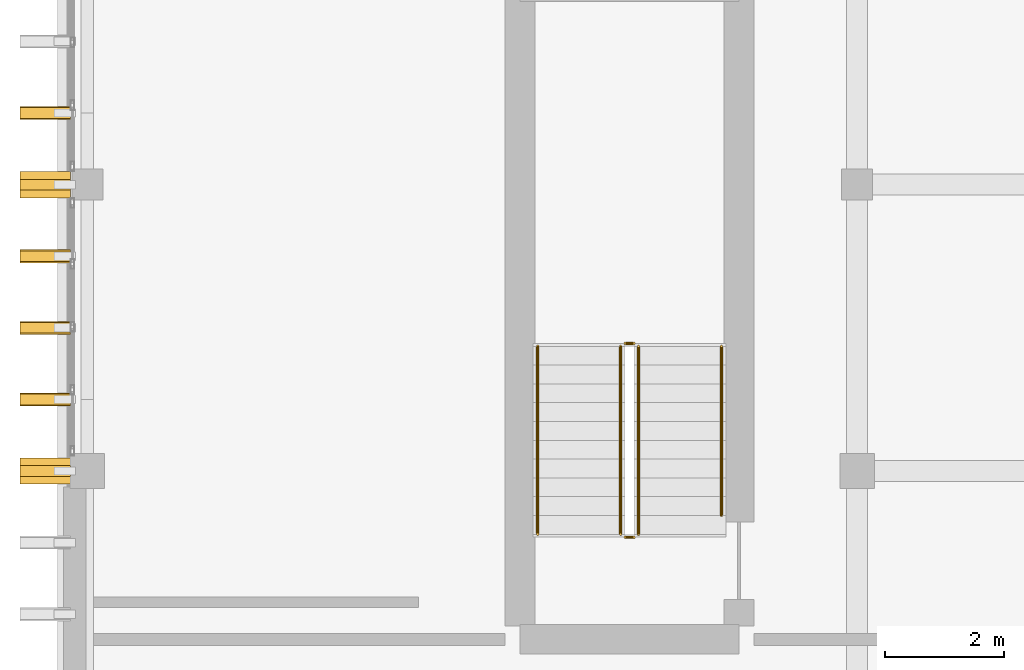
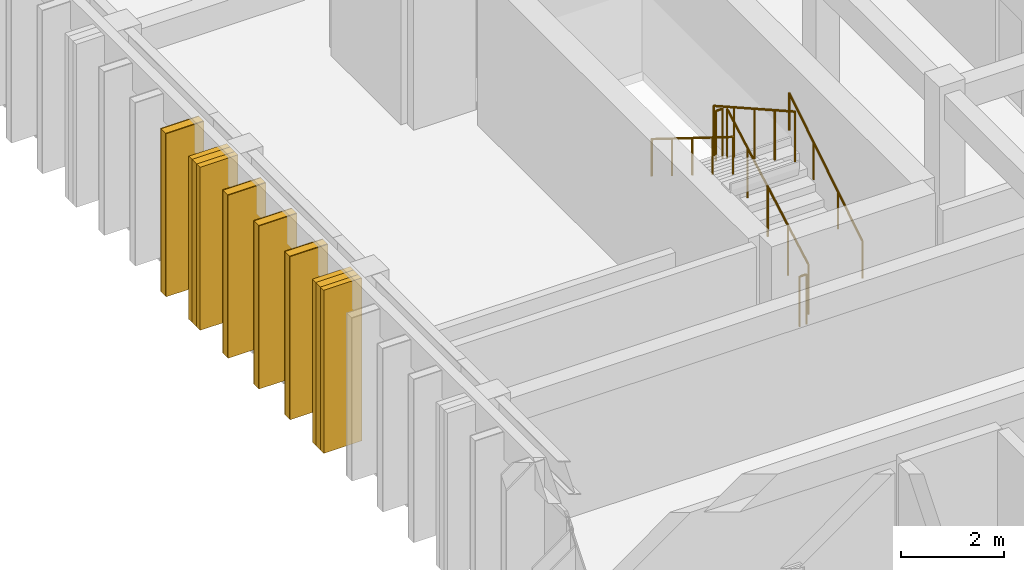
# One storey, part 48 of 49: 6 coverings, 6 railings, 6 shading devices.
"""IFC4 building model written with IfcOpenShell, lengths in metres."""

from ifc_helpers import new_model, si_unit, direction, frame, origin, origin_2d, place, context, subcontext, project, spatial, rectangle, circle, extrude, material, layer, layer_set, type_object, element, save


model = new_model("IFC4")

# Units and contexts
model_context = context("Model", 3, precision=1e-05, world=origin(), true_north=direction((0.0, 1.0)))
body_context = subcontext(model_context, "Body", "Model", "MODEL_VIEW")
ifc_project = project(units=[si_unit("LENGTHUNIT", "METRE"), si_unit("AREAUNIT", "SQUARE_METRE"), si_unit("VOLUMEUNIT", "CUBIC_METRE"), si_unit("PLANEANGLEUNIT", "RADIAN"), si_unit("MASSUNIT", "GRAM", prefix="KILO")], contexts=[model_context])

# Site, building, storey
site_placement = place(None, origin())
site = spatial("IfcSite", under=ifc_project, at=site_placement, CompositionType="ELEMENT")
building_placement = place(site_placement, origin())
building = spatial("IfcBuilding", under=site, at=building_placement, Name="Nakhvara Creek Congress Hotel", CompositionType="ELEMENT")
storey_placement = place(building_placement, frame((0.0, 0.0, 46.5)))
storey = spatial("IfcBuildingStorey", under=building, at=storey_placement, Name="L11", CompositionType="ELEMENT", Elevation=46.5)

# Coverings
ifc_material_1 = material(Name="Honed pale Omani limestone architectural cladding", Category="masonry")
ifc_layer = layer(ifc_material_1, 0.219970703125)
ifc_layer_set = layer_set([ifc_layer], Name="Honed pale Omani limestone architectural cladding")
covering_type = type_object("IfcCoveringType", Name="COV-FIN-850", PredefinedType="CLADDING", material=ifc_layer_set)
covering_1_placement = place(storey_placement, frame((148.7451171875, 105.60009765625, 0.0), z_axis=(0.0, 0.0, 1.0), x_axis=(0.0, 1.0, 0.0)))
element("IfcCovering", 1, at=covering_1_placement, inside=storey, type_object=covering_type, Name="Pale Limestone Fin Cladding CF01-2502", PredefinedType="CLADDING", context=body_context, shape_type="SweptSolid", body=[
    extrude(rectangle(XDim=0.43994140625, YDim=0.85009765625, at=origin_2d()), origin(), (0.0, 0.0, 1.0), 3.860107421875),
])
for number, where, z_axis, x_axis, name in (
    (2, (148.7451171875, 106.800048828125, 0.0), (0.0, 0.0, 1.0), (0.0, 1.0, 0.0), "Pale Limestone Fin Cladding CF01-2504"),
    (3, (148.7451171875, 108.0, 0.0), (0.0, 0.0, 1.0), (0.0, 1.0, 0.0), "Pale Limestone Fin Cladding CF01-2505"),
    (4, (148.7451171875, 109.199951171875, 0.0), (0.0, 0.0, 1.0), (0.0, 1.0, 0.0), "Pale Limestone Fin Cladding CF01-2507"),
):
    element("IfcCovering", number, at=place(storey_placement, frame(where, z_axis=z_axis, x_axis=x_axis)), inside=storey, type_object=covering_type, Name=name, PredefinedType="CLADDING", context=body_context, shape_type="SweptSolid", body=[
        extrude(rectangle(XDim=0.219970703125, YDim=0.85009765625, at=origin_2d()), origin(), (0.0, 0.0, 1.0), 3.860107421875),
    ])
covering_2_placement = place(storey_placement, frame((148.7451171875, 110.39990234375, 0.0), z_axis=(0.0, 0.0, 1.0), x_axis=(0.0, 1.0, 0.0)))
element("IfcCovering", 5, at=covering_2_placement, inside=storey, type_object=covering_type, Name="Pale Limestone Fin Cladding CF01-2509", PredefinedType="CLADDING", context=body_context, shape_type="SweptSolid", body=[
    extrude(rectangle(XDim=0.43994140625, YDim=0.85009765625, at=origin_2d()), origin(), (0.0, 0.0, 1.0), 3.860107421875),
])
covering_3_placement = place(storey_placement, frame((148.7451171875, 111.60009765625, 0.0), z_axis=(0.0, 0.0, 1.0), x_axis=(0.0, 1.0, 0.0)))
element("IfcCovering", 6, at=covering_3_placement, inside=storey, type_object=covering_type, Name="Pale Limestone Fin Cladding CF01-2511", PredefinedType="CLADDING", context=body_context, shape_type="SweptSolid", body=[
    extrude(rectangle(XDim=0.219970703125, YDim=0.85009765625, at=origin_2d()), origin(), (0.0, 0.0, 1.0), 3.860107421875),
])

# Railings
ifc_material_2 = material(Name="Brushed stainless steel 316L", Category="steel")
railing_type_1 = type_object("IfcRailingType", Name="RL-GUARD-1200", PredefinedType="GUARDRAIL", material=ifc_material_2)
railing_1_placement = place(storey_placement, frame((158.68505859375, 104.5400390625, 0.17724609375)))
element("IfcRailing", 7, at=railing_1_placement, inside=storey, type_object=railing_type_1, Name="L11 ST02 stair guard 1", PredefinedType="GUARDRAIL", context=body_context, shape_type="SweptSolid", body=[
    extrude(circle(Radius=0.02392578125, at=origin_2d()), frame((0.0, 0.0126953125, 1.18310546875), z_axis=(0.0, 0.871470892042, 0.490447228888), x_axis=(-1.0, 0.0, 0.0)), (0.0, 0.0, 1.0), 3.5849609375),
    extrude(circle(Radius=0.02099609375, at=origin_2d()), origin(), (0.0, 0.0, 1.0), 1.1806640625),
    extrude(circle(Radius=0.02099609375, at=origin_2d()), frame((0.0, 0.78759765625, 0.443115234375)), (0.0, 0.0, 1.0), 1.1806640625),
    extrude(circle(Radius=0.02099609375, at=origin_2d()), frame((0.0, 1.574951171875, 0.88623046875)), (0.0, 0.0, 1.0), 1.1806640625),
    extrude(circle(Radius=0.02099609375, at=origin_2d()), frame((0.0, 2.3623046875, 1.32958984375)), (0.0, 0.0, 1.0), 1.1806640625),
    extrude(circle(Radius=0.02099609375, at=origin_2d()), frame((0.0, 3.14990234375, 1.772705078125)), (0.0, 0.0, 1.0), 1.1806640625),
])
railing_2_placement = place(storey_placement, frame((158.610107421875, 107.739990234375, 1.949951171875)))
element("IfcRailing", 8, at=railing_2_placement, inside=storey, type_object=railing_type_1, Name="L11 ST02 stair guard 2", PredefinedType="GUARDRAIL", context=body_context, shape_type="SweptSolid", body=[
    extrude(circle(Radius=0.02392578125, at=origin_2d()), frame((-0.0146484375, 0.0, 1.17578125), z_axis=(-1.0, 0.0, 0.0), x_axis=(0.0, -1.0, 0.0)), (0.0, 0.0, 1.0), 0.120849609375),
    extrude(circle(Radius=0.02099609375, at=origin_2d()), origin(), (0.0, 0.0, 1.0), 1.1806640625),
    extrude(circle(Radius=0.02099609375, at=origin_2d()), frame((-0.150146484375, 0.0, 0.0)), (0.0, 0.0, 1.0), 1.1806640625),
])
railing_3_placement = place(storey_placement, frame((158.385009765625, 107.68994140625, 2.127197265625)))
element("IfcRailing", 9, at=railing_3_placement, inside=storey, type_object=railing_type_1, Name="L11 ST02 stair guard 3", PredefinedType="GUARDRAIL", context=body_context, shape_type="SweptSolid", body=[
    extrude(circle(Radius=0.02392578125, at=origin_2d()), frame((0.0, -0.0126953125, 1.18310546875), z_axis=(0.0, -0.871470892042, 0.490447228888), x_axis=(1.0, 0.0, 0.0)), (0.0, 0.0, 1.0), 3.5849609375),
    extrude(circle(Radius=0.02099609375, at=origin_2d()), origin(), (0.0, 0.0, 1.0), 1.1806640625),
    extrude(circle(Radius=0.02099609375, at=origin_2d()), frame((0.0, -0.78759765625, 0.443115234375)), (0.0, 0.0, 1.0), 1.1806640625),
    extrude(circle(Radius=0.02099609375, at=origin_2d()), frame((0.0, -1.574951171875, 0.88623046875)), (0.0, 0.0, 1.0), 1.1806640625),
    extrude(circle(Radius=0.02099609375, at=origin_2d()), frame((0.0, -2.3623046875, 1.32958984375)), (0.0, 0.0, 1.0), 1.1806640625),
    extrude(circle(Radius=0.02099609375, at=origin_2d()), frame((0.0, -3.14990234375, 1.772705078125)), (0.0, 0.0, 1.0), 1.1806640625),
])
railing_4_placement = place(storey_placement, frame((158.610107421875, 104.489990234375, 0.0)))
element("IfcRailing", 10, at=railing_4_placement, inside=storey, type_object=railing_type_1, Name="L11 ST02 stair guard 4", PredefinedType="GUARDRAIL", context=body_context, shape_type="SweptSolid", body=[
    extrude(circle(Radius=0.02392578125, at=origin_2d()), frame((-0.0146484375, 0.0, 1.17578125), z_axis=(-1.0, 0.0, 0.0), x_axis=(0.0, -1.0, 0.0)), (0.0, 0.0, 1.0), 0.120849609375),
    extrude(circle(Radius=0.02099609375, at=origin_2d()), origin(), (0.0, 0.0, 1.0), 1.1806640625),
    extrude(circle(Radius=0.02099609375, at=origin_2d()), frame((-0.150146484375, 0.0, 0.0)), (0.0, 0.0, 1.0), 1.1806640625),
])
railing_type_2 = type_object("IfcRailingType", Name="RL-HAND-900", PredefinedType="HANDRAIL", material=ifc_material_2)
railing_5_placement = place(storey_placement, frame((160.074951171875, 104.85498046875, 0.3544921875)))
element("IfcRailing", 11, at=railing_5_placement, inside=storey, type_object=railing_type_2, Name="L11 ST02 stair handrail 1", PredefinedType="HANDRAIL", context=body_context, shape_type="SweptSolid", body=[
    extrude(circle(Radius=0.02392578125, at=origin_2d()), frame((0.0, 0.012451171875, 0.8837890625), z_axis=(0.0, 0.846405642229, 0.532538720473), x_axis=(-1.0, 0.0, 0.0)), (0.0, 0.0, 1.0), 3.320068359375),
    extrude(circle(Radius=0.02099609375, at=origin_2d()), origin(), (0.0, 0.0, 1.0), 0.880615234375),
    extrude(circle(Radius=0.02099609375, at=origin_2d()), frame((0.0, 0.945068359375, 0.594482421875)), (0.0, 0.0, 1.0), 0.880615234375),
    extrude(circle(Radius=0.02099609375, at=origin_2d()), frame((0.0, 1.889892578125, 1.189208984375)), (0.0, 0.0, 1.0), 0.880615234375),
    extrude(circle(Radius=0.02099609375, at=origin_2d()), frame((0.0, 2.8349609375, 1.78369140625)), (0.0, 0.0, 1.0), 0.880615234375),
])
railing_6_placement = place(storey_placement, frame((156.9951171875, 107.68994140625, 2.127197265625)))
element("IfcRailing", 12, at=railing_6_placement, inside=storey, type_object=railing_type_2, Name="L11 ST02 stair handrail 2", PredefinedType="HANDRAIL", context=body_context, shape_type="SweptSolid", body=[
    extrude(circle(Radius=0.02392578125, at=origin_2d()), frame((0.0, -0.012451171875, 0.883544921875), z_axis=(0.0, -0.848906378247, 0.528543244184), x_axis=(1.0, 0.0, 0.0)), (0.0, 0.0, 1.0), 3.68115234375),
    extrude(circle(Radius=0.02099609375, at=origin_2d()), origin(), (0.0, 0.0, 1.0), 0.880615234375),
    extrude(circle(Radius=0.02099609375, at=origin_2d()), frame((0.0, -0.78759765625, 0.490234375)), (0.0, 0.0, 1.0), 0.880615234375),
    extrude(circle(Radius=0.02099609375, at=origin_2d()), frame((0.0, -1.574951171875, 0.98046875)), (0.0, 0.0, 1.0), 0.880615234375),
    extrude(circle(Radius=0.02099609375, at=origin_2d()), frame((0.0, -2.3623046875, 1.470947265625)), (0.0, 0.0, 1.0), 0.880615234375),
    extrude(circle(Radius=0.02099609375, at=origin_2d()), frame((0.0, -3.14990234375, 1.961181640625)), (0.0, 0.0, 1.0), 0.880615234375),
])

# Shading devices
ifc_material_3 = material(Name="Honed pale Omani limestone cladding on stainless steel spine", Category="masonry")
shading_device_type = type_object("IfcShadingDeviceType", Name="SHD-FIN-850X3600", PredefinedType="USERDEFINED", material=ifc_material_3)
for number, where, z_axis, x_axis, name in (
    (13, (148.7451171875, 105.60009765625, 0.0), (0.0, 0.0, 1.0), (0.0, 1.0, 0.0), "Limestone Solar Fin FN01-2367"),
    (14, (148.7451171875, 106.800048828125, 0.0), (0.0, 0.0, 1.0), (0.0, 1.0, 0.0), "Limestone Solar Fin FN01-2369"),
    (15, (148.7451171875, 108.0, 0.0), (0.0, 0.0, 1.0), (0.0, 1.0, 0.0), "Limestone Solar Fin FN01-2370"),
    (16, (148.7451171875, 109.199951171875, 0.0), (0.0, 0.0, 1.0), (0.0, 1.0, 0.0), "Limestone Solar Fin FN01-2372"),
    (17, (148.7451171875, 110.39990234375, 0.0), (0.0, 0.0, 1.0), (0.0, 1.0, 0.0), "Limestone Solar Fin FN01-2374"),
    (18, (148.7451171875, 111.60009765625, 0.0), (0.0, 0.0, 1.0), (0.0, 1.0, 0.0), "Limestone Solar Fin FN01-2376"),
):
    element("IfcShadingDevice", number, at=place(storey_placement, frame(where, z_axis=z_axis, x_axis=x_axis)), inside=storey, type_object=shading_device_type, Name=name, ObjectType="FIN", PredefinedType="USERDEFINED", context=body_context, shape_type="SweptSolid", body=[
        extrude(rectangle(XDim=0.179931640625, YDim=0.85009765625, at=origin_2d()), origin(), (0.0, 0.0, 1.0), 3.860107421875),
    ])

save(model, "model.ifc")
